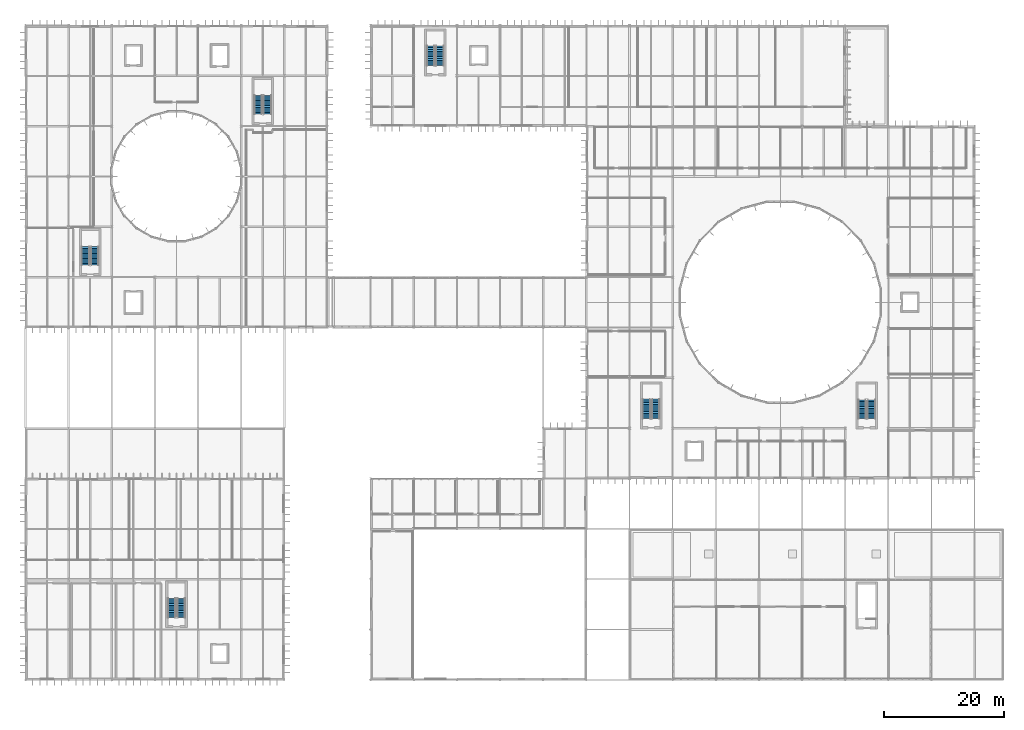
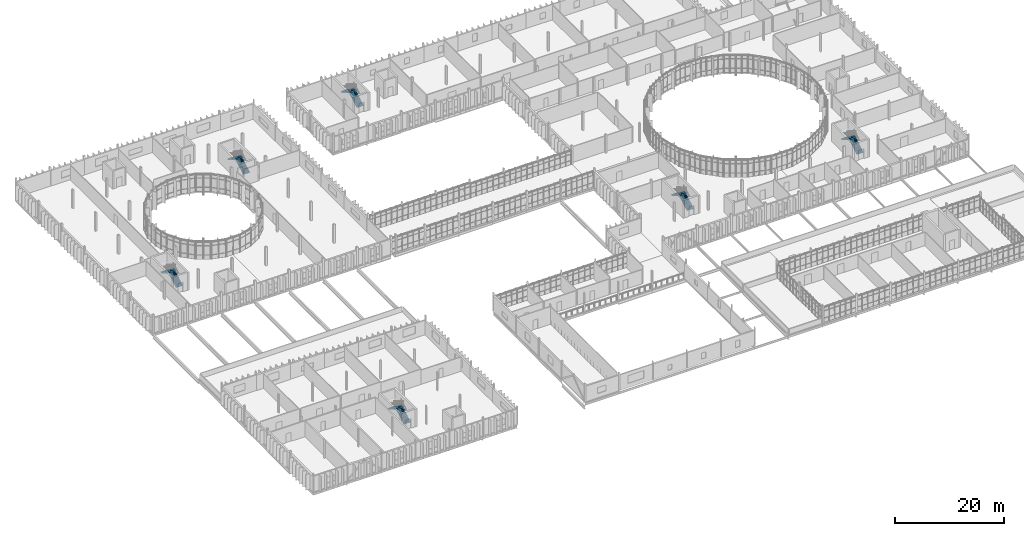
# One storey, part 103 of 119: 12 stair flights, 6 elements without a shape of their own.
"""IFC4 building model written with IfcOpenShell, lengths in metres."""

from ifc_helpers import new_model, si_unit, direction, frame, origin, place, context, subcontext, project, spatial, polyline, outline, extrude, material, type_object, element, aggregate, save


model = new_model("IFC4")

# Units and contexts
model_context = context("Model", 3, precision=1e-05, world=origin(), true_north=direction((0.0, 1.0)))
body_context = subcontext(model_context, "Body", "Model", "MODEL_VIEW")
ifc_project = project(units=[si_unit("LENGTHUNIT", "METRE"), si_unit("AREAUNIT", "SQUARE_METRE"), si_unit("VOLUMEUNIT", "CUBIC_METRE"), si_unit("PLANEANGLEUNIT", "RADIAN"), si_unit("MASSUNIT", "GRAM", prefix="KILO")], contexts=[model_context])

# Site, building, storey
site_placement = place(None, origin())
site = spatial("IfcSite", under=ifc_project, at=site_placement, CompositionType="ELEMENT")
building_placement = place(site_placement, origin())
building = spatial("IfcBuilding", under=site, at=building_placement, Name="Qelthora Terrace Specialist Clinic", CompositionType="ELEMENT")
storey_placement = place(building_placement, frame((0.0, 0.0, 4.800048828125)))
storey = spatial("IfcBuildingStorey", under=building, at=storey_placement, Name="L01", CompositionType="ELEMENT", Elevation=4.800048828125)

# Stair, stair flights
ifc_material = material(Name="Concrete C30/37", Category="concrete")
stair_type_1 = type_object("IfcStairType", Name="STR-175-280", PredefinedType="HALF_TURN_STAIR", material=ifc_material)
stair_1_placement = place(storey_placement, origin())
stair_1 = element("IfcStair", 1, at=stair_1_placement, inside=storey, type_object=stair_type_1, Name="L01 Enclosed Exit Stair ST-01", PredefinedType="HALF_TURN_STAIR")
stair_flight_type_1 = type_object("IfcStairFlightType", Name="SFL-175-280", PredefinedType="STRAIGHT", material=ifc_material)
stair_flight_1_placement = place(storey_placement, frame((11.574951171875, 69.199951171875, 0.0), z_axis=(0.0, 0.0, 1.0), x_axis=(0.0, 1.0, 0.0)))
stair_flight_1 = element("IfcStairFlight", 2, at=stair_flight_1_placement, type_object=stair_flight_type_1, Name="ST-01 flight 1", NumberOfRisers=12, NumberOfTreads=11, PredefinedType="STRAIGHT", RiserHeight=0.175, TreadLength=0.28, context=body_context, shape_type="SweptSolid", body=[
    extrude(outline(polyline([(-0.001953125, 0.0), (-0.001953125, 0.175048828125), (0.280029296875, 0.175048828125), (0.280029296875, 0.35009765625), (0.56005859375, 0.35009765625), (0.56005859375, 0.52490234375), (0.840087890625, 0.52490234375), (0.840087890625, 0.699951171875), (1.1201171875, 0.699951171875), (1.1201171875, 0.875), (1.39990234375, 0.875), (1.39990234375, 1.050048828125), (1.679931640625, 1.050048828125), (1.679931640625, 1.22509765625), (1.9599609375, 1.22509765625), (1.9599609375, 1.39990234375), (2.239990234375, 1.39990234375), (2.239990234375, 1.574951171875), (2.52001953125, 1.574951171875), (2.52001953125, 1.75), (2.800048828125, 1.75), (2.800048828125, 1.925048828125), (3.080078125, 1.925048828125), (3.080078125, 2.10009765625), (3.08203125, 2.10009765625), (3.08203125, 1.712890625), (3.080078125, 1.712890625), (0.339599609375, 0.0), (-0.001953125, 0.0)])), frame((0.0, 0.675048828125, 0.0), z_axis=(0.0, -1.0, 0.0), x_axis=(1.0, 0.0, 0.0)), (0.0, 0.0, 1.0), 1.35009765625),
])
stair_flight_2_placement = place(storey_placement, frame((10.02490234375, 72.280029296875, 2.099853515625), z_axis=(0.0, 0.0, 1.0), x_axis=(0.0, -1.0, 0.0)))
stair_flight_2 = element("IfcStairFlight", 3, at=stair_flight_2_placement, type_object=stair_flight_type_1, Name="ST-01 flight 2", NumberOfRisers=12, NumberOfTreads=11, PredefinedType="STRAIGHT", RiserHeight=0.175, TreadLength=0.28, context=body_context, shape_type="SweptSolid", body=[
    extrude(outline(polyline([(-0.001953125, 0.0), (-0.001953125, 0.175048828125), (0.280029296875, 0.175048828125), (0.280029296875, 0.35009765625), (0.56005859375, 0.35009765625), (0.56005859375, 0.52490234375), (0.840087890625, 0.52490234375), (0.840087890625, 0.699951171875), (1.1201171875, 0.699951171875), (1.1201171875, 0.875), (1.39990234375, 0.875), (1.39990234375, 1.050048828125), (1.679931640625, 1.050048828125), (1.679931640625, 1.22509765625), (1.9599609375, 1.22509765625), (1.9599609375, 1.39990234375), (2.239990234375, 1.39990234375), (2.239990234375, 1.574951171875), (2.52001953125, 1.574951171875), (2.52001953125, 1.75), (2.800048828125, 1.75), (2.800048828125, 1.925048828125), (3.080078125, 1.925048828125), (3.080078125, 2.10009765625), (3.08203125, 2.10009765625), (3.08203125, 1.712890625), (3.080078125, 1.712890625), (0.339599609375, 0.0), (-0.001953125, 0.0)])), frame((0.0, 0.675048828125, 0.0), z_axis=(0.0, -1.0, 0.0), x_axis=(1.0, 0.0, 0.0)), (0.0, 0.0, 1.0), 1.35009765625),
])
aggregate(stair_1, [stair_flight_1, stair_flight_2])

stair_type_2 = type_object("IfcStairType", Name="STR-175-285", PredefinedType="HALF_TURN_STAIR", material=ifc_material)
stair_2_placement = place(storey_placement, origin())
stair_2 = element("IfcStair", 4, at=stair_2_placement, inside=storey, type_object=stair_type_2, Name="L01 Enclosed Exit Stair ST-02", PredefinedType="HALF_TURN_STAIR")
stair_flight_type_2 = type_object("IfcStairFlightType", Name="SFL-175-285", PredefinedType="STRAIGHT", material=ifc_material)
stair_flight_3_placement = place(storey_placement, frame((40.375, 94.39990234375, 0.0), z_axis=(0.0, 0.0, 1.0), x_axis=(0.0, 1.0, 0.0)))
stair_flight_3 = element("IfcStairFlight", 5, at=stair_flight_3_placement, type_object=stair_flight_type_2, Name="ST-02 flight 1", NumberOfRisers=12, NumberOfTreads=11, PredefinedType="STRAIGHT", RiserHeight=0.175, TreadLength=0.285, context=body_context, shape_type="SweptSolid", body=[
    extrude(outline(polyline([(-0.001953125, 0.0), (-0.001953125, 0.175048828125), (0.284912109375, 0.175048828125), (0.284912109375, 0.35009765625), (0.570068359375, 0.35009765625), (0.570068359375, 0.52490234375), (0.85498046875, 0.52490234375), (0.85498046875, 0.699951171875), (1.139892578125, 0.699951171875), (1.139892578125, 0.875), (1.425048828125, 0.875), (1.425048828125, 1.050048828125), (1.7099609375, 1.050048828125), (1.7099609375, 1.22509765625), (1.9951171875, 1.22509765625), (1.9951171875, 1.39990234375), (2.280029296875, 1.39990234375), (2.280029296875, 1.574951171875), (2.56494140625, 1.574951171875), (2.56494140625, 1.75), (2.85009765625, 1.75), (2.85009765625, 1.925048828125), (3.135009765625, 1.925048828125), (3.135009765625, 2.10009765625), (3.136962890625, 2.10009765625), (3.136962890625, 1.7138671875), (3.135009765625, 1.7138671875), (0.34375, 0.0), (-0.001953125, 0.0)])), frame((0.0, 0.675048828125, 0.0), z_axis=(0.0, -1.0, 0.0), x_axis=(1.0, 0.0, 0.0)), (0.0, 0.0, 1.0), 1.35009765625),
])
stair_flight_4_placement = place(storey_placement, frame((38.824951171875, 97.534912109375, 2.099853515625), z_axis=(0.0, 0.0, 1.0), x_axis=(0.0, -1.0, 0.0)))
stair_flight_4 = element("IfcStairFlight", 6, at=stair_flight_4_placement, type_object=stair_flight_type_2, Name="ST-02 flight 2", NumberOfRisers=12, NumberOfTreads=11, PredefinedType="STRAIGHT", RiserHeight=0.175, TreadLength=0.285, context=body_context, shape_type="SweptSolid", body=[
    extrude(outline(polyline([(-0.001953125, 0.0), (-0.001953125, 0.175048828125), (0.284912109375, 0.175048828125), (0.284912109375, 0.35009765625), (0.570068359375, 0.35009765625), (0.570068359375, 0.52490234375), (0.85498046875, 0.52490234375), (0.85498046875, 0.699951171875), (1.139892578125, 0.699951171875), (1.139892578125, 0.875), (1.425048828125, 0.875), (1.425048828125, 1.050048828125), (1.7099609375, 1.050048828125), (1.7099609375, 1.22509765625), (1.9951171875, 1.22509765625), (1.9951171875, 1.39990234375), (2.280029296875, 1.39990234375), (2.280029296875, 1.574951171875), (2.56494140625, 1.574951171875), (2.56494140625, 1.75), (2.85009765625, 1.75), (2.85009765625, 1.925048828125), (3.135009765625, 1.925048828125), (3.135009765625, 2.10009765625), (3.136962890625, 2.10009765625), (3.136962890625, 1.7138671875), (3.135009765625, 1.7138671875), (0.34375, 0.0), (-0.001953125, 0.0)])), frame((0.0, 0.675048828125, 0.0), z_axis=(0.0, -1.0, 0.0), x_axis=(1.0, 0.0, 0.0)), (0.0, 0.0, 1.0), 1.35009765625),
])
aggregate(stair_2, [stair_flight_3, stair_flight_4])

stair_3_placement = place(storey_placement, origin())
stair_3 = element("IfcStair", 7, at=stair_3_placement, inside=storey, type_object=stair_type_2, Name="L01 Enclosed Exit Stair ST-06", PredefinedType="HALF_TURN_STAIR")
stair_flight_5_placement = place(storey_placement, frame((141.175048828125, 43.60009765625, 0.0), z_axis=(0.0, 0.0, 1.0), x_axis=(0.0, 1.0, 0.0)))
stair_flight_5 = element("IfcStairFlight", 8, at=stair_flight_5_placement, type_object=stair_flight_type_2, Name="ST-06 flight 1", NumberOfRisers=12, NumberOfTreads=11, PredefinedType="STRAIGHT", RiserHeight=0.175, TreadLength=0.285, context=body_context, shape_type="SweptSolid", body=[
    extrude(outline(polyline([(-0.001953125, 0.0), (-0.001953125, 0.175048828125), (0.284912109375, 0.175048828125), (0.284912109375, 0.35009765625), (0.570068359375, 0.35009765625), (0.570068359375, 0.52490234375), (0.85498046875, 0.52490234375), (0.85498046875, 0.699951171875), (1.139892578125, 0.699951171875), (1.139892578125, 0.875), (1.425048828125, 0.875), (1.425048828125, 1.050048828125), (1.7099609375, 1.050048828125), (1.7099609375, 1.22509765625), (1.9951171875, 1.22509765625), (1.9951171875, 1.39990234375), (2.280029296875, 1.39990234375), (2.280029296875, 1.574951171875), (2.56494140625, 1.574951171875), (2.56494140625, 1.75), (2.85009765625, 1.75), (2.85009765625, 1.925048828125), (3.135009765625, 1.925048828125), (3.135009765625, 2.10009765625), (3.136962890625, 2.10009765625), (3.136962890625, 1.7138671875), (3.135009765625, 1.7138671875), (0.34375, 0.0), (-0.001953125, 0.0)])), frame((0.0, 0.675048828125, 0.0), z_axis=(0.0, -1.0, 0.0), x_axis=(1.0, 0.0, 0.0)), (0.0, 0.0, 1.0), 1.35009765625),
])
stair_flight_6_placement = place(storey_placement, frame((139.625, 46.735107421875, 2.099853515625), z_axis=(0.0, 0.0, 1.0), x_axis=(0.0, -1.0, 0.0)))
stair_flight_6 = element("IfcStairFlight", 9, at=stair_flight_6_placement, type_object=stair_flight_type_2, Name="ST-06 flight 2", NumberOfRisers=12, NumberOfTreads=11, PredefinedType="STRAIGHT", RiserHeight=0.175, TreadLength=0.285, context=body_context, shape_type="SweptSolid", body=[
    extrude(outline(polyline([(-0.001953125, 0.0), (-0.001953125, 0.175048828125), (0.284912109375, 0.175048828125), (0.284912109375, 0.35009765625), (0.570068359375, 0.35009765625), (0.570068359375, 0.52490234375), (0.85498046875, 0.52490234375), (0.85498046875, 0.699951171875), (1.139892578125, 0.699951171875), (1.139892578125, 0.875), (1.425048828125, 0.875), (1.425048828125, 1.050048828125), (1.7099609375, 1.050048828125), (1.7099609375, 1.22509765625), (1.9951171875, 1.22509765625), (1.9951171875, 1.39990234375), (2.280029296875, 1.39990234375), (2.280029296875, 1.574951171875), (2.56494140625, 1.574951171875), (2.56494140625, 1.75), (2.85009765625, 1.75), (2.85009765625, 1.925048828125), (3.135009765625, 1.925048828125), (3.135009765625, 2.10009765625), (3.136962890625, 2.10009765625), (3.136962890625, 1.7138671875), (3.135009765625, 1.7138671875), (0.34375, 0.0), (-0.001953125, 0.0)])), frame((0.0, 0.675048828125, 0.0), z_axis=(0.0, -1.0, 0.0), x_axis=(1.0, 0.0, 0.0)), (0.0, 0.0, 1.0), 1.35009765625),
])
aggregate(stair_3, [stair_flight_5, stair_flight_6])

stair_type_3 = type_object("IfcStairType", Name="STR-175-290", PredefinedType="HALF_TURN_STAIR", material=ifc_material)
stair_4_placement = place(storey_placement, origin())
stair_4 = element("IfcStair", 10, at=stair_4_placement, inside=storey, type_object=stair_type_3, Name="L01 Enclosed Exit Stair ST-03", PredefinedType="HALF_TURN_STAIR")
stair_flight_type_3 = type_object("IfcStairFlightType", Name="SFL-175-290", PredefinedType="STRAIGHT", material=ifc_material)
stair_flight_7_placement = place(storey_placement, frame((25.97509765625, 10.39990234375, 0.0), z_axis=(0.0, 0.0, 1.0), x_axis=(0.0, 1.0, 0.0)))
stair_flight_7 = element("IfcStairFlight", 11, at=stair_flight_7_placement, type_object=stair_flight_type_3, Name="ST-03 flight 1", NumberOfRisers=12, NumberOfTreads=11, PredefinedType="STRAIGHT", RiserHeight=0.175, TreadLength=0.29, context=body_context, shape_type="SweptSolid", body=[
    extrude(outline(polyline([(-0.001953125, 0.0), (-0.001953125, 0.175048828125), (0.2900390625, 0.175048828125), (0.2900390625, 0.35009765625), (0.580078125, 0.35009765625), (0.580078125, 0.52490234375), (0.8701171875, 0.52490234375), (0.8701171875, 0.699951171875), (1.159912109375, 0.699951171875), (1.159912109375, 0.875), (1.449951171875, 0.875), (1.449951171875, 1.050048828125), (1.739990234375, 1.050048828125), (1.739990234375, 1.22509765625), (2.030029296875, 1.22509765625), (2.030029296875, 1.39990234375), (2.320068359375, 1.39990234375), (2.320068359375, 1.574951171875), (2.610107421875, 1.574951171875), (2.610107421875, 1.75), (2.89990234375, 1.75), (2.89990234375, 1.925048828125), (3.18994140625, 1.925048828125), (3.18994140625, 2.10009765625), (3.19189453125, 2.10009765625), (3.19189453125, 1.71484375), (3.18994140625, 1.71484375), (0.34814453125, 0.0), (-0.001953125, 0.0)])), frame((0.0, 0.675048828125, 0.0), z_axis=(0.0, -1.0, 0.0), x_axis=(1.0, 0.0, 0.0)), (0.0, 0.0, 1.0), 1.35009765625),
])
stair_flight_8_placement = place(storey_placement, frame((24.425048828125, 13.590087890625, 2.099853515625), z_axis=(0.0, 0.0, 1.0), x_axis=(0.0, -1.0, 0.0)))
stair_flight_8 = element("IfcStairFlight", 12, at=stair_flight_8_placement, type_object=stair_flight_type_3, Name="ST-03 flight 2", NumberOfRisers=12, NumberOfTreads=11, PredefinedType="STRAIGHT", RiserHeight=0.175, TreadLength=0.29, context=body_context, shape_type="SweptSolid", body=[
    extrude(outline(polyline([(-0.001953125, 0.0), (-0.001953125, 0.175048828125), (0.2900390625, 0.175048828125), (0.2900390625, 0.35009765625), (0.580078125, 0.35009765625), (0.580078125, 0.52490234375), (0.8701171875, 0.52490234375), (0.8701171875, 0.699951171875), (1.159912109375, 0.699951171875), (1.159912109375, 0.875), (1.449951171875, 0.875), (1.449951171875, 1.050048828125), (1.739990234375, 1.050048828125), (1.739990234375, 1.22509765625), (2.030029296875, 1.22509765625), (2.030029296875, 1.39990234375), (2.320068359375, 1.39990234375), (2.320068359375, 1.574951171875), (2.610107421875, 1.574951171875), (2.610107421875, 1.75), (2.89990234375, 1.75), (2.89990234375, 1.925048828125), (3.18994140625, 1.925048828125), (3.18994140625, 2.10009765625), (3.19189453125, 2.10009765625), (3.19189453125, 1.71484375), (3.18994140625, 1.71484375), (0.34814453125, 0.0), (-0.001953125, 0.0)])), frame((0.0, 0.675048828125, 0.0), z_axis=(0.0, -1.0, 0.0), x_axis=(1.0, 0.0, 0.0)), (0.0, 0.0, 1.0), 1.35009765625),
])
aggregate(stair_4, [stair_flight_7, stair_flight_8])

stair_type_4 = type_object("IfcStairType", Name="STR-175-295", PredefinedType="HALF_TURN_STAIR", material=ifc_material)
stair_5_placement = place(storey_placement, origin())
stair_5 = element("IfcStair", 13, at=stair_5_placement, inside=storey, type_object=stair_type_4, Name="L01 Enclosed Exit Stair ST-05", PredefinedType="HALF_TURN_STAIR")
stair_flight_type_4 = type_object("IfcStairFlightType", Name="SFL-175-295", PredefinedType="STRAIGHT", material=ifc_material)
stair_flight_9_placement = place(storey_placement, frame((105.175048828125, 43.60009765625, 0.0), z_axis=(0.0, 0.0, 1.0), x_axis=(0.0, 1.0, 0.0)))
stair_flight_9 = element("IfcStairFlight", 14, at=stair_flight_9_placement, type_object=stair_flight_type_4, Name="ST-05 flight 1", NumberOfRisers=12, NumberOfTreads=11, PredefinedType="STRAIGHT", RiserHeight=0.175, TreadLength=0.295, context=body_context, shape_type="SweptSolid", body=[
    extrude(outline(polyline([(-0.001953125, 0.0), (-0.001953125, 0.175048828125), (0.294921875, 0.175048828125), (0.294921875, 0.35009765625), (0.590087890625, 0.35009765625), (0.590087890625, 0.52490234375), (0.885009765625, 0.52490234375), (0.885009765625, 0.699951171875), (1.179931640625, 0.699951171875), (1.179931640625, 0.875), (1.47509765625, 0.875), (1.47509765625, 1.050048828125), (1.77001953125, 1.050048828125), (1.77001953125, 1.22509765625), (2.06494140625, 1.22509765625), (2.06494140625, 1.39990234375), (2.360107421875, 1.39990234375), (2.360107421875, 1.574951171875), (2.655029296875, 1.574951171875), (2.655029296875, 1.75), (2.949951171875, 1.75), (2.949951171875, 1.925048828125), (3.2451171875, 1.925048828125), (3.2451171875, 2.10009765625), (3.2470703125, 2.10009765625), (3.2470703125, 1.7158203125), (3.2451171875, 1.7158203125), (0.352783203125, 0.0), (-0.001953125, 0.0)])), frame((0.0, 0.675048828125, 0.0), z_axis=(0.0, -1.0, 0.0), x_axis=(1.0, 0.0, 0.0)), (0.0, 0.0, 1.0), 1.35009765625),
])
stair_flight_10_placement = place(storey_placement, frame((103.625, 46.844970703125, 2.099853515625), z_axis=(0.0, 0.0, 1.0), x_axis=(0.0, -1.0, 0.0)))
stair_flight_10 = element("IfcStairFlight", 15, at=stair_flight_10_placement, type_object=stair_flight_type_4, Name="ST-05 flight 2", NumberOfRisers=12, NumberOfTreads=11, PredefinedType="STRAIGHT", RiserHeight=0.175, TreadLength=0.295, context=body_context, shape_type="SweptSolid", body=[
    extrude(outline(polyline([(-0.001953125, 0.0), (-0.001953125, 0.175048828125), (0.294921875, 0.175048828125), (0.294921875, 0.35009765625), (0.590087890625, 0.35009765625), (0.590087890625, 0.52490234375), (0.885009765625, 0.52490234375), (0.885009765625, 0.699951171875), (1.179931640625, 0.699951171875), (1.179931640625, 0.875), (1.47509765625, 0.875), (1.47509765625, 1.050048828125), (1.77001953125, 1.050048828125), (1.77001953125, 1.22509765625), (2.06494140625, 1.22509765625), (2.06494140625, 1.39990234375), (2.360107421875, 1.39990234375), (2.360107421875, 1.574951171875), (2.655029296875, 1.574951171875), (2.655029296875, 1.75), (2.949951171875, 1.75), (2.949951171875, 1.925048828125), (3.2451171875, 1.925048828125), (3.2451171875, 2.10009765625), (3.2470703125, 2.10009765625), (3.2470703125, 1.7158203125), (3.2451171875, 1.7158203125), (0.352783203125, 0.0), (-0.001953125, 0.0)])), frame((0.0, 0.675048828125, 0.0), z_axis=(0.0, -1.0, 0.0), x_axis=(1.0, 0.0, 0.0)), (0.0, 0.0, 1.0), 1.35009765625),
])
aggregate(stair_5, [stair_flight_9, stair_flight_10])

stair_type_5 = type_object("IfcStairType", Name="STR-175-300", PredefinedType="HALF_TURN_STAIR", material=ifc_material)
stair_6_placement = place(storey_placement, origin())
stair_6 = element("IfcStair", 16, at=stair_6_placement, inside=storey, type_object=stair_type_5, Name="L01 Enclosed Exit Stair ST-07", PredefinedType="HALF_TURN_STAIR")
stair_flight_type_5 = type_object("IfcStairFlightType", Name="SFL-175-300", PredefinedType="STRAIGHT", material=ifc_material)
stair_flight_11_placement = place(storey_placement, frame((69.175048828125, 102.5, 0.0), z_axis=(0.0, 0.0, 1.0), x_axis=(0.0, 1.0, 0.0)))
stair_flight_11 = element("IfcStairFlight", 17, at=stair_flight_11_placement, type_object=stair_flight_type_5, Name="ST-07 flight 1", NumberOfRisers=12, NumberOfTreads=11, PredefinedType="STRAIGHT", RiserHeight=0.175, TreadLength=0.3, context=body_context, shape_type="SweptSolid", body=[
    extrude(outline(polyline([(-0.001953125, 0.0), (-0.001953125, 0.175048828125), (0.300048828125, 0.175048828125), (0.300048828125, 0.35009765625), (0.60009765625, 0.35009765625), (0.60009765625, 0.52490234375), (0.89990234375, 0.52490234375), (0.89990234375, 0.699951171875), (1.199951171875, 0.699951171875), (1.199951171875, 0.875), (1.5, 0.875), (1.5, 1.050048828125), (1.800048828125, 1.050048828125), (1.800048828125, 1.22509765625), (2.10009765625, 1.22509765625), (2.10009765625, 1.39990234375), (2.39990234375, 1.39990234375), (2.39990234375, 1.574951171875), (2.699951171875, 1.574951171875), (2.699951171875, 1.75), (3.0, 1.75), (3.0, 1.925048828125), (3.300048828125, 1.925048828125), (3.300048828125, 2.10009765625), (3.302001953125, 2.10009765625), (3.302001953125, 1.716796875), (3.300048828125, 1.716796875), (0.357177734375, 0.0), (-0.001953125, 0.0)])), frame((0.0, 0.675048828125, 0.0), z_axis=(0.0, -1.0, 0.0), x_axis=(1.0, 0.0, 0.0)), (0.0, 0.0, 1.0), 1.35009765625),
])
stair_flight_12_placement = place(storey_placement, frame((67.625, 105.800048828125, 2.099853515625), z_axis=(0.0, 0.0, 1.0), x_axis=(0.0, -1.0, 0.0)))
stair_flight_12 = element("IfcStairFlight", 18, at=stair_flight_12_placement, type_object=stair_flight_type_5, Name="ST-07 flight 2", NumberOfRisers=12, NumberOfTreads=11, PredefinedType="STRAIGHT", RiserHeight=0.175, TreadLength=0.3, context=body_context, shape_type="SweptSolid", body=[
    extrude(outline(polyline([(-0.001953125, 0.0), (-0.001953125, 0.175048828125), (0.300048828125, 0.175048828125), (0.300048828125, 0.35009765625), (0.60009765625, 0.35009765625), (0.60009765625, 0.52490234375), (0.89990234375, 0.52490234375), (0.89990234375, 0.699951171875), (1.199951171875, 0.699951171875), (1.199951171875, 0.875), (1.5, 0.875), (1.5, 1.050048828125), (1.800048828125, 1.050048828125), (1.800048828125, 1.22509765625), (2.10009765625, 1.22509765625), (2.10009765625, 1.39990234375), (2.39990234375, 1.39990234375), (2.39990234375, 1.574951171875), (2.699951171875, 1.574951171875), (2.699951171875, 1.75), (3.0, 1.75), (3.0, 1.925048828125), (3.300048828125, 1.925048828125), (3.300048828125, 2.10009765625), (3.302001953125, 2.10009765625), (3.302001953125, 1.716796875), (3.300048828125, 1.716796875), (0.357177734375, 0.0), (-0.001953125, 0.0)])), frame((0.0, 0.675048828125, 0.0), z_axis=(0.0, -1.0, 0.0), x_axis=(1.0, 0.0, 0.0)), (0.0, 0.0, 1.0), 1.35009765625),
])
aggregate(stair_6, [stair_flight_11, stair_flight_12])

save(model, "model.ifc")
